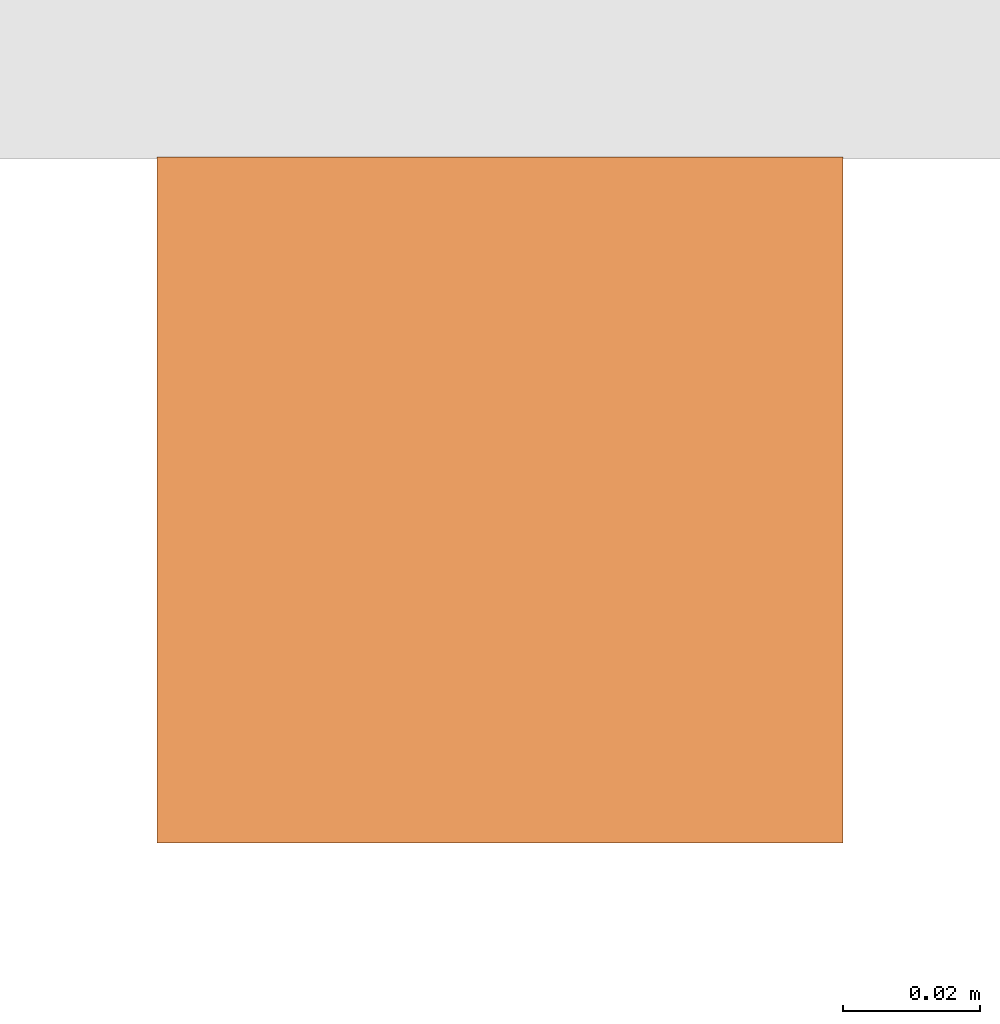
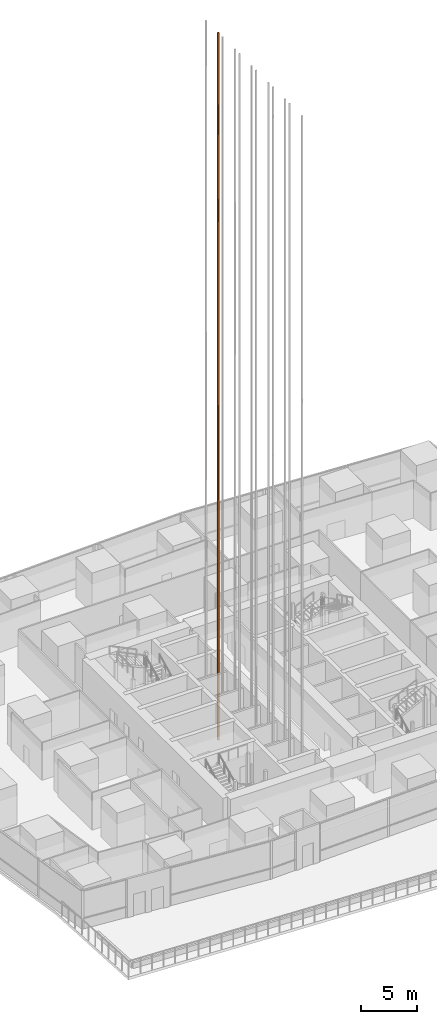
# One storey, part 43 of 44: 1 proxy.
"""IFC4 building model written with IfcOpenShell, lengths in metres."""

from ifc_helpers import new_model, si_unit, direction, frame, origin, origin_2d, place, context, subcontext, project, spatial, rectangle, extrude, material, type_object, element, save


model = new_model("IFC4")

# Units and contexts
model_context = context("Model", 3, precision=1e-05, world=origin(), true_north=direction((0.0, 1.0)))
body_context = subcontext(model_context, "Body", "Model", "MODEL_VIEW")
ifc_project = project(units=[si_unit("LENGTHUNIT", "METRE"), si_unit("AREAUNIT", "SQUARE_METRE"), si_unit("VOLUMEUNIT", "CUBIC_METRE"), si_unit("PLANEANGLEUNIT", "RADIAN"), si_unit("MASSUNIT", "GRAM", prefix="KILO")], contexts=[model_context])

# Site, building, storey
site_placement = place(None, origin())
site = spatial("IfcSite", under=ifc_project, at=site_placement, CompositionType="ELEMENT")
building_placement = place(site_placement, origin())
building = spatial("IfcBuilding", under=site, at=building_placement, Name="Rekha Terrace Tower", CompositionType="ELEMENT")
storey_placement = place(building_placement, frame((0.0, 0.0, 90.800048828125)))
storey = spatial("IfcBuildingStorey", under=building, at=storey_placement, Name="L22", CompositionType="ELEMENT", Elevation=90.800048828125)

# Proxy
ifc_material = material(Name="Steel guide rail", Category="steel")
building_element_proxy_type = type_object("IfcBuildingElementProxyType", Name="LR1 100 lift guide rail", PredefinedType="ELEMENT", material=ifc_material)
proxy_placement = place(storey_placement, frame((34.5, 38.800048828125, -3.300048828125), z_axis=(0.0, 0.0, 1.0), x_axis=(1.0, 0.0, 0.0)))
element("IfcBuildingElementProxy", 1, at=proxy_placement, inside=storey, type_object=building_element_proxy_type, Name="Lift B6 guide rail 1", PredefinedType="ELEMENT", context=body_context, shape_type="SweptSolid", body=[
    extrude(rectangle(XDim=0.10009765625, YDim=0.10009765625, at=origin_2d()), origin(), (0.0, 0.0, 1.0), 77.39990234375),
])

save(model, "model.ifc")
